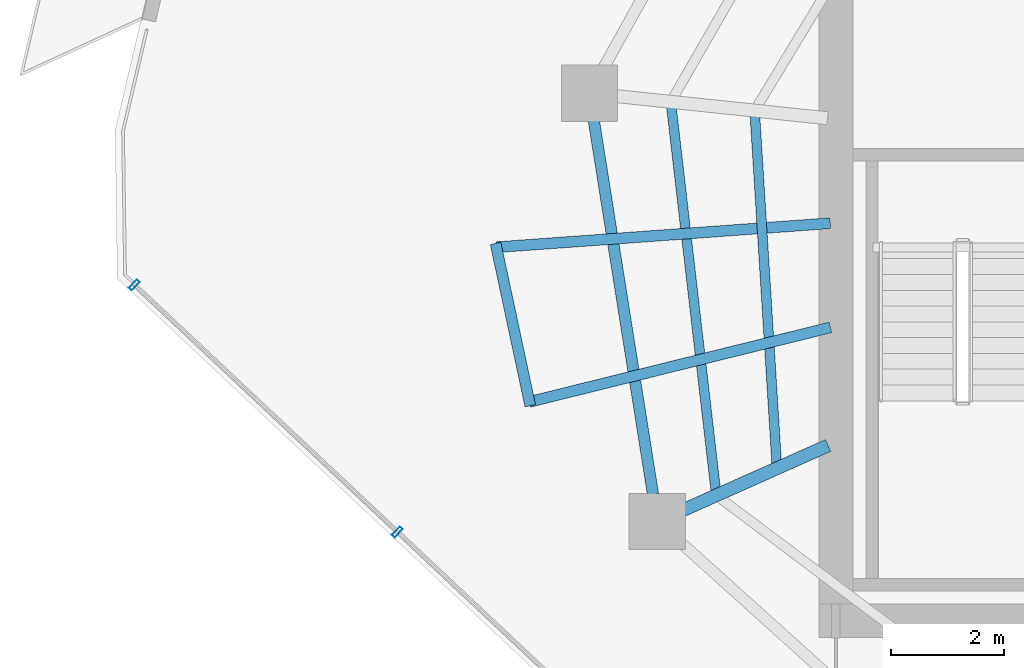
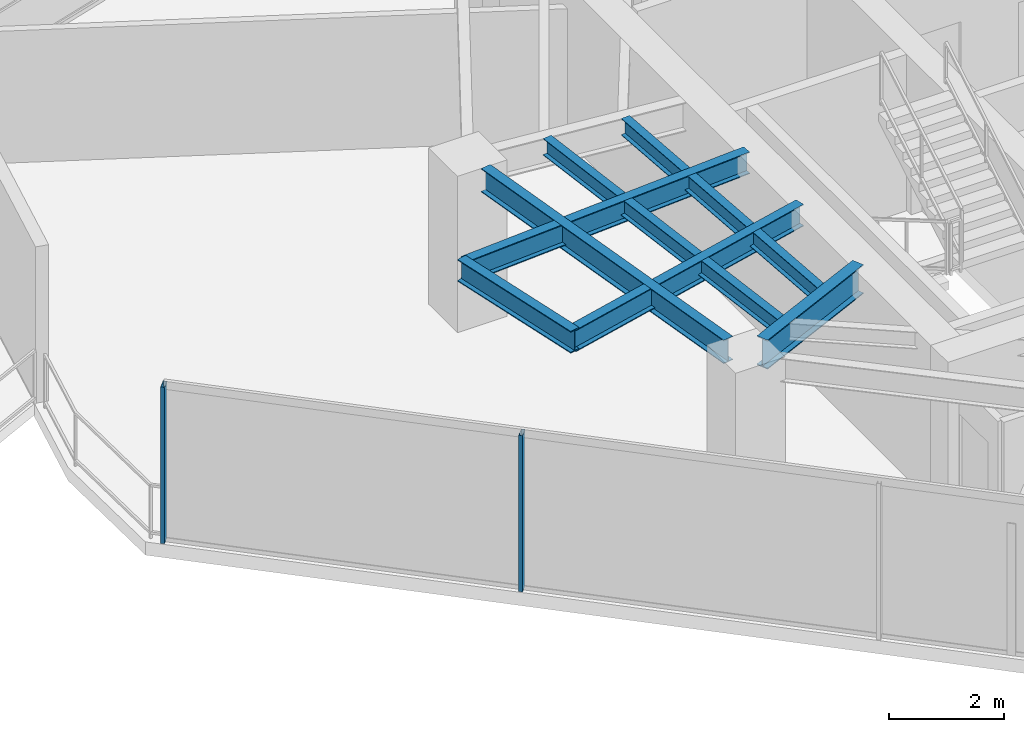
# One storey, part 6 of 19: 7 beams, 2 members, 1 element without a shape of its own.
"""IFC4 building model written with IfcOpenShell, lengths in metres."""

from ifc_helpers import new_model, si_unit, direction, frame, origin, origin_2d, place, context, subcontext, project, spatial, hollow_rectangle, i_section, extrude, material, layer, layer_set, material_profile, profile_set, type_object, element, aggregate, save


model = new_model("IFC4")

# Units and contexts
model_context = context("Model", 3, precision=1e-05, world=origin(), true_north=direction((0.0, 1.0)))
body_context = subcontext(model_context, "Body", "Model", "MODEL_VIEW")
ifc_project = project(units=[si_unit("LENGTHUNIT", "METRE"), si_unit("AREAUNIT", "SQUARE_METRE"), si_unit("VOLUMEUNIT", "CUBIC_METRE"), si_unit("PLANEANGLEUNIT", "RADIAN"), si_unit("MASSUNIT", "GRAM", prefix="KILO")], contexts=[model_context])

# Site, building, storey
site_placement = place(None, origin())
site = spatial("IfcSite", under=ifc_project, at=site_placement, CompositionType="ELEMENT")
building_placement = place(site_placement, origin())
building = spatial("IfcBuilding", under=site, at=building_placement, Name="Qarnah Convention Tower", CompositionType="ELEMENT")
storey_placement = place(building_placement, frame((0.0, 0.0, 129.300048828125)))
storey = spatial("IfcBuildingStorey", under=building, at=storey_placement, Name="L34", CompositionType="ELEMENT", Elevation=129.300048828125)

# Beams
ifc_material_1 = material(Name="Structural steel S355JR", Category="steel")
ifc_material_profile_1 = material_profile(ifc_material_1, i_section(OverallWidth=0.19189453125, OverallDepth=0.464111328125, WebThickness=0.010986328125, FlangeThickness=0.01806640625, at=origin_2d()), Name="W460X89")
ifc_profile_set_1 = profile_set([ifc_material_profile_1], Name="Structural steel S355JR")
beam_type_1 = type_object("IfcBeamType", Name="BM-CANT-W460A", PredefinedType="BEAM", material=ifc_profile_set_1)
beam_1_placement = place(storey_placement, frame((26.699951171875, 25.64794921875, 3.087890625), z_axis=(-0.997431478283, -0.071627132639, 0.0), x_axis=(0.071627132639, -0.997431478283, 0.0)))
element("IfcBeam", 1, at=beam_1_placement, inside=storey, type_object=beam_type_1, Name="L34 beam BM-L34-CNT-02-1", PredefinedType="BEAM", context=body_context, shape_type="SweptSolid", body=[
    extrude(i_section(OverallWidth=0.19189453125, OverallDepth=0.464111328125, WebThickness=0.010986328125, FlangeThickness=0.01806640625, at=origin_2d()), origin(), (0.0, 0.0, 1.0), 5.93408203125),
])
beam_2_placement = place(storey_placement, frame((26.702880859375, 23.802001953125, 3.087890625), z_axis=(-0.970704086067, -0.240278124872, 0.0), x_axis=(0.240278124872, -0.970704086067, 0.0)))
element("IfcBeam", 2, at=beam_2_placement, inside=storey, type_object=beam_type_1, Name="L34 beam BM-L34-CNT-02-2", PredefinedType="BEAM", context=body_context, shape_type="SweptSolid", body=[
    extrude(i_section(OverallWidth=0.19189453125, OverallDepth=0.464111328125, WebThickness=0.010986328125, FlangeThickness=0.01806640625, at=origin_2d()), origin(), (0.0, 0.0, 1.0), 5.498046875),
])
beam_3_placement = place(storey_placement, frame((20.76611328125, 25.291015625, 3.087890625), z_axis=(0.208973836363, -0.977921231857, 0.0), x_axis=(0.977921231857, 0.208973836363, 0.0)))
element("IfcBeam", 3, at=beam_3_placement, inside=storey, type_object=beam_type_1, Name="L34 spandrel BM-L34-CTIE-02", PredefinedType="SPANDREL", context=body_context, shape_type="SweptSolid", body=[
    extrude(i_section(OverallWidth=0.19189453125, OverallDepth=0.464111328125, WebThickness=0.010986328125, FlangeThickness=0.01806640625, at=origin_2d()), origin(), (0.0, 0.0, 1.0), 2.94287109375),
])
ifc_material_profile_2 = material_profile(ifc_material_1, i_section(OverallWidth=0.172119140625, OverallDepth=0.35595703125, WebThickness=0.007080078125, FlangeThickness=0.011962890625, at=origin_2d()), Name="W360X51")
ifc_profile_set_2 = profile_set([ifc_material_profile_2], Name="Structural steel S355JR")
beam_type_2 = type_object("IfcBeamType", Name="BM-JST-W360", PredefinedType="JOIST", material=ifc_profile_set_2)
beam_4_placement = place(storey_placement, frame((23.883056640625, 27.7119140625, 3.141845703125), z_axis=(0.114843478179, -0.993383599381, 0.0), x_axis=(0.993383599381, 0.114843478179, 0.0)))
element("IfcBeam", 4, at=beam_4_placement, inside=storey, type_object=beam_type_2, Name="L34 joist BM-L34-SJST-05", PredefinedType="JOIST", context=body_context, shape_type="SweptSolid", body=[
    extrude(i_section(OverallWidth=0.172119140625, OverallDepth=0.35595703125, WebThickness=0.007080078125, FlangeThickness=0.011962890625, at=origin_2d()), origin(), (0.0, 0.0, 1.0), 6.843017578125),
])
beam_5_placement = place(storey_placement, frame((25.364013671875, 27.553955078125, 3.141845703125), z_axis=(0.062390601432, -0.998051808702, 0.0), x_axis=(0.998051808702, 0.062390601432, 0.0)))
element("IfcBeam", 5, at=beam_5_placement, inside=storey, type_object=beam_type_2, Name="L34 joist BM-L34-IJST-05", PredefinedType="JOIST", context=body_context, shape_type="SweptSolid", body=[
    extrude(i_section(OverallWidth=0.172119140625, OverallDepth=0.35595703125, WebThickness=0.007080078125, FlangeThickness=0.011962890625, at=origin_2d()), origin(), (0.0, 0.0, 1.0), 6.1708984375),
])
ifc_material_profile_3 = material_profile(ifc_material_1, i_section(OverallWidth=0.22998046875, OverallDepth=0.617919921875, WebThickness=0.012939453125, FlangeThickness=0.02197265625, at=origin_2d()), Name="W610X140")
ifc_profile_set_3 = profile_set([ifc_material_profile_3], Name="Structural steel S355JR")
beam_type_3 = type_object("IfcBeamType", Name="BM-RAD-W610A", PredefinedType="BEAM", material=ifc_profile_set_3)
beam_6_placement = place(storey_placement, frame((26.6630859375, 21.708984375, 3.010986328125), z_axis=(-0.913488265638, -0.406865074123, 0.0), x_axis=(0.406865074123, -0.913488265638, 0.0)))
element("IfcBeam", 6, at=beam_6_placement, inside=storey, type_object=beam_type_3, Name="L34 beam BM-L34-RAD-06", PredefinedType="BEAM", context=body_context, shape_type="SweptSolid", body=[
    extrude(i_section(OverallWidth=0.22998046875, OverallDepth=0.617919921875, WebThickness=0.012939453125, FlangeThickness=0.02197265625, at=origin_2d()), origin(), (0.0, 0.0, 1.0), 2.83642578125),
])
ifc_material_profile_4 = material_profile(ifc_material_1, i_section(OverallWidth=0.199951171875, OverallDepth=0.5, WebThickness=0.010009765625, FlangeThickness=0.01611328125, at=origin_2d()), Name="IPE500")
ifc_profile_set_4 = profile_set([ifc_material_profile_4], Name="Structural steel S355JR")
beam_type_4 = type_object("IfcBeamType", Name="BM-SPN-IPE500", PredefinedType="SPANDREL", material=ifc_profile_set_4)
beam_7_placement = place(storey_placement, frame((22.508056640625, 27.468017578125, 3.070068359375), z_axis=(0.156388773261, -0.987695576379, 0.0), x_axis=(0.987695576379, 0.156388773261, 0.0)))
element("IfcBeam", 7, at=beam_7_placement, inside=storey, type_object=beam_type_4, Name="L34 spandrel BM-L34-SPN-05", PredefinedType="SPANDREL", context=body_context, shape_type="SweptSolid", body=[
    extrude(i_section(OverallWidth=0.199951171875, OverallDepth=0.5, WebThickness=0.010009765625, FlangeThickness=0.01611328125, at=origin_2d()), origin(), (0.0, 0.0, 1.0), 6.70654296875),
])

# Curtain wall, members
ifc_material_2 = material(Name="Tempered Low-E dark glass", Category="glass")
ifc_layer = layer(ifc_material_2, 0.172119140625)
ifc_layer_set = layer_set([ifc_layer], Name="Tempered Low-E dark glass")
curtain_wall_type = type_object("IfcCurtainWallType", Name="CWS-03", PredefinedType="NOTDEFINED", material=ifc_layer_set)
curtain_wall_placement = place(storey_placement, origin())
curtain_wall = element("IfcCurtainWall", 8, at=curtain_wall_placement, inside=storey, type_object=curtain_wall_type, Name="L34 unitised curtain wall CW-L34-F1", PredefinedType="NOTDEFINED")
ifc_material_3 = material(Name="Black anodised aluminium", Category="aluminium")
ifc_material_profile_5 = material_profile(ifc_material_3, hollow_rectangle(XDim=0.070068359375, YDim=0.199951171875, WallThickness=0.0048828125, at=origin_2d()), Name="MUL-70X200")
ifc_profile_set_5 = profile_set([ifc_material_profile_5], Name="Black anodised aluminium")
member_type = type_object("IfcMemberType", Name="MUL-T3", PredefinedType="MULLION", material=ifc_profile_set_5)
member_1_placement = place(storey_placement, frame((19.02392578125, 20.173095703125, 0.0), z_axis=(0.0, 0.0, 1.0), x_axis=(-0.728967659665, 0.684548136483, 0.0)))
member_1 = element("IfcMember", 9, at=member_1_placement, type_object=member_type, Name="CW-L34-F1 mullion 5", PredefinedType="MULLION", context=body_context, shape_type="SweptSolid", body=[
    extrude(hollow_rectangle(XDim=0.070068359375, YDim=0.199951171875, WallThickness=0.0048828125, at=origin_2d()), origin(), (0.0, 0.0, 1.0), 3.320068359375),
])
member_2_placement = place(storey_placement, frame((14.360107421875, 24.552978515625, 0.0), z_axis=(0.0, 0.0, 1.0), x_axis=(-0.728967659665, 0.684548136483, 0.0)))
member_2 = element("IfcMember", 10, at=member_2_placement, type_object=member_type, Name="CW-L34-F1 mullion 6", PredefinedType="MULLION", context=body_context, shape_type="SweptSolid", body=[
    extrude(hollow_rectangle(XDim=0.070068359375, YDim=0.199951171875, WallThickness=0.0048828125, at=origin_2d()), origin(), (0.0, 0.0, 1.0), 3.320068359375),
])
aggregate(curtain_wall, [member_1, member_2])

save(model, "model.ifc")
